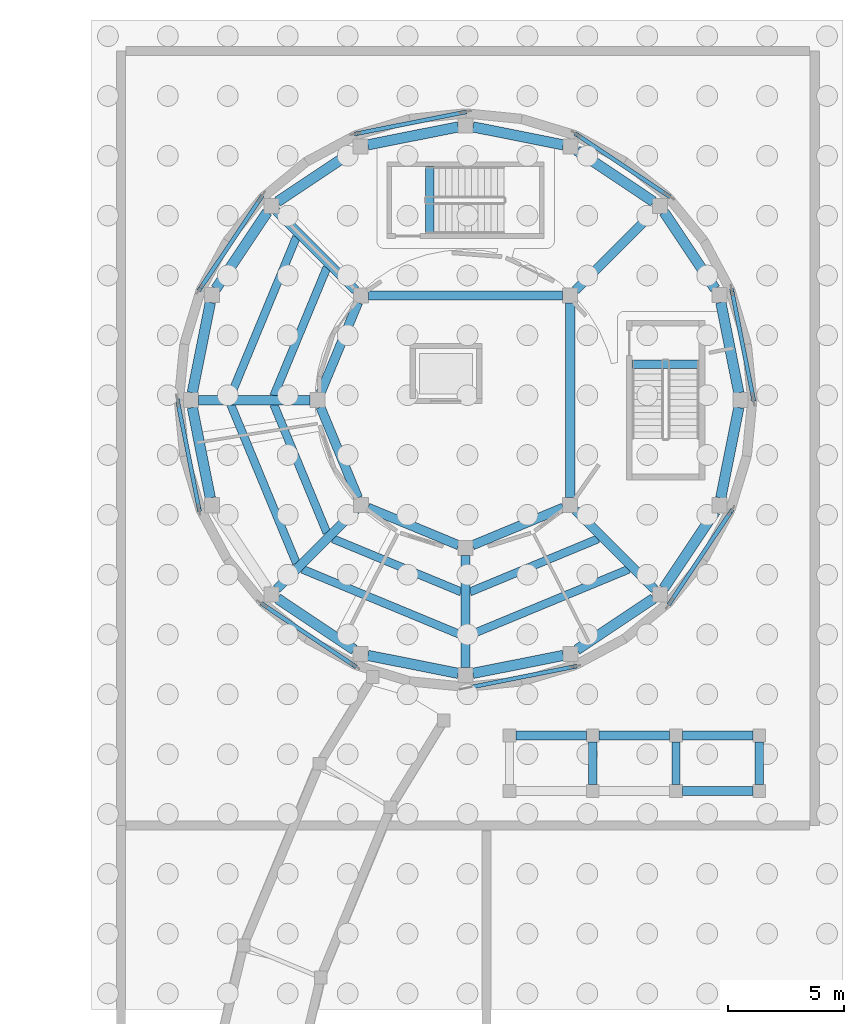
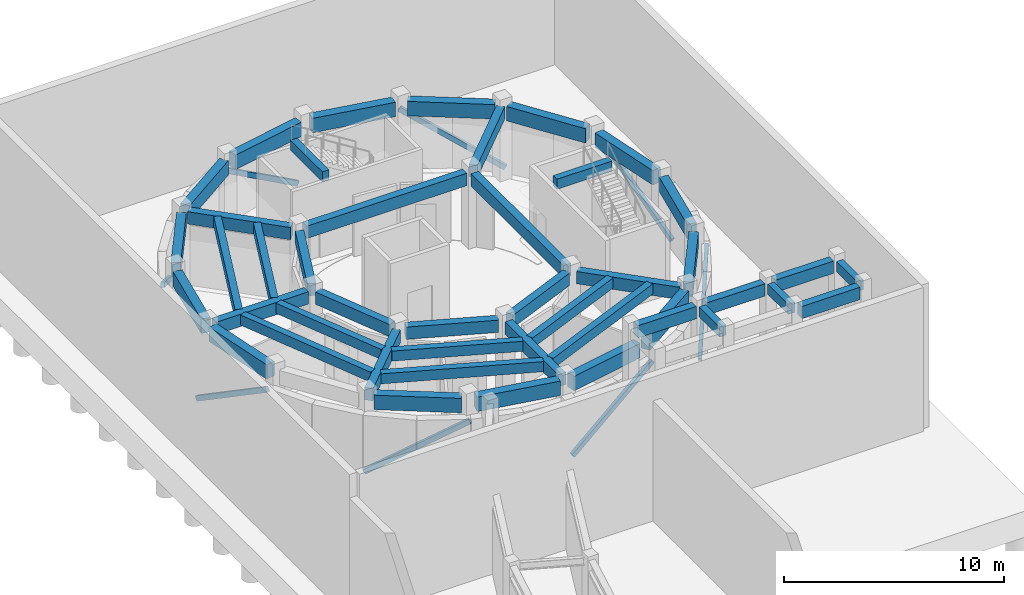
# One storey, part 21 of 57: 44 beams, 8 members.
"""IFC4 building model written with IfcOpenShell, lengths in metres."""

from ifc_helpers import new_model, si_unit, direction, frame, origin, origin_2d, place, context, subcontext, project, spatial, rectangle, extrude, material, material_profile, profile_set, type_object, element, save


model = new_model("IFC4")

# Units and contexts
model_context = context("Model", 3, precision=1e-05, world=origin(), true_north=direction((0.0, 1.0)))
body_context = subcontext(model_context, "Body", "Model", "MODEL_VIEW")
ifc_project = project(units=[si_unit("LENGTHUNIT", "METRE"), si_unit("AREAUNIT", "SQUARE_METRE"), si_unit("VOLUMEUNIT", "CUBIC_METRE"), si_unit("PLANEANGLEUNIT", "RADIAN"), si_unit("MASSUNIT", "GRAM", prefix="KILO")], contexts=[model_context])

# Site, building, storey
site_placement = place(None, origin())
site = spatial("IfcSite", under=ifc_project, at=site_placement, CompositionType="ELEMENT")
building_placement = place(site_placement, origin())
building = spatial("IfcBuilding", under=site, at=building_placement, Name="Aldenvaro Health Centre", CompositionType="ELEMENT")
storey_placement = place(building_placement, frame((0.0, 0.0, -4.550048828125)))
storey = spatial("IfcBuildingStorey", under=building, at=storey_placement, Name="B1", CompositionType="ELEMENT", Elevation=-4.550048828125)

# Beams
ifc_material_1 = material(Name="Concrete f'c 40 MPa", Category="concrete")
ifc_material_profile_1 = material_profile(ifc_material_1, rectangle(XDim=0.35009765625, YDim=0.56005859375, at=origin_2d()), Name="RC 350x560", Category="concrete")
ifc_profile_set_1 = profile_set([ifc_material_profile_1], Name="Concrete f'c 40 MPa")
beam_type_1 = type_object("IfcBeamType", Name="BM-RC-560", PredefinedType="JOIST", material=ifc_profile_set_1)
beam_1_placement = place(storey_placement, frame((148.5029296875, 105.235107421875, 3.8681640625), z_axis=(-0.382672438937, -0.923884086062, 0.0), x_axis=(0.923884086062, -0.382672438937, 0.0)))
element("IfcBeam", 1, at=beam_1_placement, inside=storey, type_object=beam_type_1, Name="D2 B1 secondary joist 02.1", PredefinedType="JOIST", context=body_context, shape_type="SweptSolid", body=[
    extrude(rectangle(XDim=0.35009765625, YDim=0.56005859375, at=origin_2d()), origin(), (0.0, 0.0, 1.0), 6.00732421875),
])
beam_2_placement = place(storey_placement, frame((147.18603515625, 106.552978515625, 3.8681640625), z_axis=(-0.382704688411, -0.923870727682, 0.0), x_axis=(0.923870727682, -0.382704688411, 0.0)))
element("IfcBeam", 2, at=beam_2_placement, inside=storey, type_object=beam_type_1, Name="D2 B1 secondary joist 02.2", PredefinedType="JOIST", context=body_context, shape_type="SweptSolid", body=[
    extrude(rectangle(XDim=0.35009765625, YDim=0.56005859375, at=origin_2d()), origin(), (0.0, 0.0, 1.0), 7.433837890625),
])
beam_3_placement = place(storey_placement, frame((146.2041015625, 99.31494140625, 3.8681640625), z_axis=(0.382672438937, -0.923884086062, 0.0), x_axis=(0.923884086062, 0.382672438937, 0.0)))
element("IfcBeam", 3, at=beam_3_placement, inside=storey, type_object=beam_type_1, Name="D2 B1 secondary joist 03.1", PredefinedType="JOIST", context=body_context, shape_type="SweptSolid", body=[
    extrude(rectangle(XDim=0.35009765625, YDim=0.56005859375, at=origin_2d()), origin(), (0.0, 0.0, 1.0), 6.00732421875),
])
beam_4_placement = place(storey_placement, frame((144.341064453125, 99.31494140625, 3.8681640625), z_axis=(0.382704688411, -0.923870727682, 0.0), x_axis=(0.923870727682, 0.382704688411, 0.0)))
element("IfcBeam", 4, at=beam_4_placement, inside=storey, type_object=beam_type_1, Name="D2 B1 secondary joist 03.2", PredefinedType="JOIST", context=body_context, shape_type="SweptSolid", body=[
    extrude(rectangle(XDim=0.35009765625, YDim=0.56005859375, at=origin_2d()), origin(), (0.0, 0.0, 1.0), 7.433837890625),
])
beam_5_placement = place(storey_placement, frame((148.764892578125, 93.5029296875, 3.8681640625), z_axis=(0.923884086062, -0.382672438937, 0.0), x_axis=(0.382672438937, 0.923884086062, 0.0)))
element("IfcBeam", 5, at=beam_5_placement, inside=storey, type_object=beam_type_1, Name="D2 B1 secondary joist 04.1", PredefinedType="JOIST", context=body_context, shape_type="SweptSolid", body=[
    extrude(rectangle(XDim=0.35009765625, YDim=0.56005859375, at=origin_2d()), origin(), (0.0, 0.0, 1.0), 6.00732421875),
])
beam_6_placement = place(storey_placement, frame((147.447021484375, 92.18603515625, 3.8681640625), z_axis=(0.923870727682, -0.382704688411, 0.0), x_axis=(0.382704688411, 0.923870727682, 0.0)))
element("IfcBeam", 6, at=beam_6_placement, inside=storey, type_object=beam_type_1, Name="D2 B1 secondary joist 04.2", PredefinedType="JOIST", context=body_context, shape_type="SweptSolid", body=[
    extrude(rectangle(XDim=0.35009765625, YDim=0.56005859375, at=origin_2d()), origin(), (0.0, 0.0, 1.0), 7.433837890625),
])
beam_7_placement = place(storey_placement, frame((154.68505859375, 91.2041015625, 3.8681640625), z_axis=(0.923884086062, 0.382672438937, 0.0), x_axis=(-0.382672438937, 0.923884086062, 0.0)))
element("IfcBeam", 7, at=beam_7_placement, inside=storey, type_object=beam_type_1, Name="D2 B1 secondary joist 05.1", PredefinedType="JOIST", context=body_context, shape_type="SweptSolid", body=[
    extrude(rectangle(XDim=0.35009765625, YDim=0.56005859375, at=origin_2d()), origin(), (0.0, 0.0, 1.0), 6.00732421875),
])
beam_8_placement = place(storey_placement, frame((154.68505859375, 89.341064453125, 3.8681640625), z_axis=(0.923870727682, 0.382704688411, 0.0), x_axis=(-0.382704688411, 0.923870727682, 0.0)))
element("IfcBeam", 8, at=beam_8_placement, inside=storey, type_object=beam_type_1, Name="D2 B1 secondary joist 05.2", PredefinedType="JOIST", context=body_context, shape_type="SweptSolid", body=[
    extrude(rectangle(XDim=0.35009765625, YDim=0.56005859375, at=origin_2d()), origin(), (0.0, 0.0, 1.0), 7.433837890625),
])
for number, where, z_axis, x_axis, name in (
    (9, (160.0, 82.875, 7.650146484375), (0.0, 1.0, 0.0), (-1.0, 0.0, 0.0), "Bastion Portico N2 Terrace Tie 2"),
    (10, (163.60009765625, 82.875, 7.650146484375), (0.0, 1.0, 0.0), (-1.0, 0.0, 0.0), "Bastion Portico N2 Terrace Tie 3"),
    (11, (167.199951171875, 82.875, 7.650146484375), (0.0, 1.0, 0.0), (-1.0, 0.0, 0.0), "Bastion Portico N2 Terrace Tie 4"),
):
    element("IfcBeam", number, at=place(storey_placement, frame(where, z_axis=z_axis, x_axis=x_axis)), inside=storey, type_object=beam_type_1, Name=name, PredefinedType="JOIST", context=body_context, shape_type="SweptSolid", body=[
        extrude(rectangle(XDim=0.35009765625, YDim=0.56005859375, at=origin_2d()), origin(), (0.0, 0.0, 1.0), 1.85009765625),
    ])
for number, where, z_axis, x_axis, name in (
    (12, (161.699951171875, 101.050048828125, 4.27001953125), (1.0, 0.0, 0.0), (0.0, 1.0, 0.0), "ST-03 L00 stair landing trimmer beam"),
    (13, (152.949951171875, 106.699951171875, 4.27001953125), (0.0, 1.0, 0.0), (-1.0, 0.0, 0.0), "ST-04 L00 stair landing trimmer beam"),
):
    element("IfcBeam", number, at=place(storey_placement, frame(where, z_axis=z_axis, x_axis=x_axis)), inside=storey, type_object=beam_type_1, Name=name, PredefinedType="JOIST", context=body_context, shape_type="SweptSolid", body=[
        extrude(rectangle(XDim=0.35009765625, YDim=0.56005859375, at=origin_2d()), origin(), (0.0, 0.0, 1.0), 2.900146484375),
    ])
ifc_material_profile_2 = material_profile(ifc_material_1, rectangle(XDim=0.39990234375, YDim=0.679931640625, at=origin_2d()), Name="RC 400x680", Category="concrete")
ifc_profile_set_2 = profile_set([ifc_material_profile_2], Name="Concrete f'c 40 MPa")
beam_type_2 = type_object("IfcBeamType", Name="BM-RC-680", PredefinedType="BEAM", material=ifc_profile_set_2)
beam_9_placement = place(storey_placement, frame((158.699951171875, 104.02490234375, 3.80810546875), z_axis=(-1.0, 0.0, 0.0), x_axis=(0.0, -1.0, 0.0)))
element("IfcBeam", 14, at=beam_9_placement, inside=storey, type_object=beam_type_2, Name="D2 B1 inner ring beam 01", PredefinedType="BEAM", context=body_context, shape_type="SweptSolid", body=[
    extrude(rectangle(XDim=0.39990234375, YDim=0.679931640625, at=origin_2d()), origin(), (0.0, 0.0, 1.0), 8.39990234375),
])
for number, where, z_axis, x_axis, name in (
    (15, (149.85107421875, 103.72509765625, 3.80810546875), (-0.382913371618, -0.923784255027, 0.0), (0.923784255027, -0.382913371618, 0.0), "D2 B1 inner ring beam 02"),
    (16, (148.22412109375, 99.199951171875, 3.80810546875), (0.382913371618, -0.923784255027, 0.0), (0.923784255027, 0.382913371618, 0.0), "D2 B1 inner ring beam 03"),
    (17, (150.27490234375, 94.85107421875, 3.80810546875), (0.923784255027, -0.382913371618, 0.0), (0.382913371618, 0.923784255027, 0.0), "D2 B1 inner ring beam 04"),
    (18, (154.800048828125, 93.22412109375, 3.80810546875), (0.923784255027, 0.382913371618, 0.0), (-0.382913371618, 0.923784255027, 0.0), "D2 B1 inner ring beam 05"),
):
    element("IfcBeam", number, at=place(storey_placement, frame(where, z_axis=z_axis, x_axis=x_axis)), inside=storey, type_object=beam_type_2, Name=name, PredefinedType="BEAM", context=body_context, shape_type="SweptSolid", body=[
        extrude(rectangle(XDim=0.39990234375, YDim=0.679931640625, at=origin_2d()), origin(), (0.0, 0.0, 1.0), 4.248779296875),
    ])
beam_10_placement = place(storey_placement, frame((159.02490234375, 95.300048828125, 3.80810546875), z_axis=(0.0, 1.0, 0.0), x_axis=(-1.0, 0.0, 0.0)))
element("IfcBeam", 19, at=beam_10_placement, inside=storey, type_object=beam_type_2, Name="D2 B1 inner ring beam 06", PredefinedType="BEAM", context=body_context, shape_type="SweptSolid", body=[
    extrude(rectangle(XDim=0.39990234375, YDim=0.679931640625, at=origin_2d()), origin(), (0.0, 0.0, 1.0), 8.39990234375),
])
for number, where, z_axis, x_axis, name in (
    (20, (159.2548828125, 104.2548828125, 3.80810546875), (0.707106781187, 0.707106781187, 0.0), (-0.707106781187, 0.707106781187, 0.0), "D2 B1 radial beam 01"),
    (21, (149.7451171875, 104.2548828125, 3.80810546875), (-0.707106781187, 0.707106781187, 0.0), (-0.707106781187, -0.707106781187, 0.0), "D2 B1 radial beam 02"),
):
    element("IfcBeam", number, at=place(storey_placement, frame(where, z_axis=z_axis, x_axis=x_axis)), inside=storey, type_object=beam_type_2, Name=name, PredefinedType="BEAM", context=body_context, shape_type="SweptSolid", body=[
        extrude(rectangle(XDim=0.39990234375, YDim=0.679931640625, at=origin_2d()), origin(), (0.0, 0.0, 1.0), 4.82958984375),
    ])
beam_11_placement = place(storey_placement, frame((147.77490234375, 99.5, 3.80810546875), z_axis=(-1.0, 0.0, 0.0), x_axis=(0.0, -1.0, 0.0)))
element("IfcBeam", 22, at=beam_11_placement, inside=storey, type_object=beam_type_2, Name="D2 B1 radial beam 03", PredefinedType="BEAM", context=body_context, shape_type="SweptSolid", body=[
    extrude(rectangle(XDim=0.39990234375, YDim=0.679931640625, at=origin_2d()), origin(), (0.0, 0.0, 1.0), 4.829833984375),
])
beam_12_placement = place(storey_placement, frame((149.7451171875, 94.7451171875, 3.80810546875), z_axis=(-0.707106781187, -0.707106781187, 0.0), x_axis=(0.707106781187, -0.707106781187, 0.0)))
element("IfcBeam", 23, at=beam_12_placement, inside=storey, type_object=beam_type_2, Name="D2 B1 radial beam 04", PredefinedType="BEAM", context=body_context, shape_type="SweptSolid", body=[
    extrude(rectangle(XDim=0.39990234375, YDim=0.679931640625, at=origin_2d()), origin(), (0.0, 0.0, 1.0), 4.82958984375),
])
beam_13_placement = place(storey_placement, frame((154.5, 92.77490234375, 3.80810546875), z_axis=(0.0, -1.0, 0.0), x_axis=(1.0, 0.0, 0.0)))
element("IfcBeam", 24, at=beam_13_placement, inside=storey, type_object=beam_type_2, Name="D2 B1 radial beam 05", PredefinedType="BEAM", context=body_context, shape_type="SweptSolid", body=[
    extrude(rectangle(XDim=0.39990234375, YDim=0.679931640625, at=origin_2d()), origin(), (0.0, 0.0, 1.0), 4.829833984375),
])
beam_14_placement = place(storey_placement, frame((159.2548828125, 94.7451171875, 3.80810546875), z_axis=(0.707106781187, -0.707106781187, 0.0), x_axis=(0.707106781187, 0.707106781187, 0.0)))
element("IfcBeam", 25, at=beam_14_placement, inside=storey, type_object=beam_type_2, Name="D2 B1 radial beam 06", PredefinedType="BEAM", context=body_context, shape_type="SweptSolid", body=[
    extrude(rectangle(XDim=0.39990234375, YDim=0.679931640625, at=origin_2d()), origin(), (0.0, 0.0, 1.0), 4.82958984375),
])
for number, where, z_axis, x_axis, name in (
    (26, (156.675048828125, 85.0, 7.60009765625), (1.0, 0.0, 0.0), (0.0, 1.0, 0.0), "Bastion Portico N2 Terrace Beam 1.2"),
    (27, (160.27490234375, 85.0, 7.60009765625), (1.0, 0.0, 0.0), (0.0, 1.0, 0.0), "Bastion Portico N2 Terrace Beam 2.2"),
    (28, (163.875, 82.60009765625, 7.60009765625), (1.0, 0.0, 0.0), (0.0, 1.0, 0.0), "Bastion Portico N2 Terrace Beam 3.1"),
    (29, (163.875, 85.0, 7.60009765625), (1.0, 0.0, 0.0), (0.0, 1.0, 0.0), "Bastion Portico N2 Terrace Beam 3.2"),
):
    element("IfcBeam", number, at=place(storey_placement, frame(where, z_axis=z_axis, x_axis=x_axis)), inside=storey, type_object=beam_type_2, Name=name, PredefinedType="BEAM", context=body_context, shape_type="SweptSolid", body=[
        extrude(rectangle(XDim=0.39990234375, YDim=0.679931640625, at=origin_2d()), origin(), (0.0, 0.0, 1.0), 3.050048828125),
    ])
ifc_material_profile_3 = material_profile(ifc_material_1, rectangle(XDim=0.449951171875, YDim=0.800048828125, at=origin_2d()), Name="RC 450x800", Category="concrete")
ifc_profile_set_3 = profile_set([ifc_material_profile_3], Name="Concrete f'c 40 MPa")
beam_type_3 = type_object("IfcBeamType", Name="BM-RC-800I", PredefinedType="SPANDREL", material=ifc_profile_set_3)
beam_15_placement = place(storey_placement, frame((166.31689453125, 99.819091796875, 3.748046875), z_axis=(-0.195208772024, 0.980761711796, 0.0), x_axis=(-0.980761711796, -0.195208772024, 0.0)))
element("IfcBeam", 30, at=beam_15_placement, inside=storey, type_object=beam_type_3, Name="D2 B1 perimeter spandrel 01", PredefinedType="SPANDREL", context=body_context, shape_type="SweptSolid", body=[
    extrude(rectangle(XDim=0.449951171875, YDim=0.800048828125, at=origin_2d()), origin(), (0.0, 0.0, 1.0), 3.984619140625),
])
for number, where, z_axis, x_axis, name in (
    (31, (165.294921875, 104.31591796875, 3.748046875), (-0.555491592772, 0.831522152657, 0.0), (-0.831522152657, -0.555491592772, 0.0), "D2 B1 perimeter spandrel 02"),
    (32, (162.6298828125, 108.0810546875, 3.748046875), (-0.831522152657, 0.555491592772, 0.0), (-0.555491592772, -0.831522152657, 0.0), "D2 B1 perimeter spandrel 03"),
):
    element("IfcBeam", number, at=place(storey_placement, frame(where, z_axis=z_axis, x_axis=x_axis)), inside=storey, type_object=beam_type_3, Name=name, PredefinedType="SPANDREL", context=body_context, shape_type="SweptSolid", body=[
        extrude(rectangle(XDim=0.449951171875, YDim=0.800048828125, at=origin_2d()), origin(), (0.0, 0.0, 1.0), 3.9853515625),
    ])
for number, where, z_axis, x_axis, name in (
    (33, (158.72705078125, 110.5390625, 3.748046875), (-0.980761711796, 0.195208772024, 0.0), (-0.195208772024, -0.980761711796, 0.0), "D2 B1 perimeter spandrel 04"),
    (34, (154.180908203125, 111.31689453125, 3.748046875), (-0.980761711796, -0.195208772024, 0.0), (0.195208772024, -0.980761711796, 0.0), "D2 B1 perimeter spandrel 05"),
):
    element("IfcBeam", number, at=place(storey_placement, frame(where, z_axis=z_axis, x_axis=x_axis)), inside=storey, type_object=beam_type_3, Name=name, PredefinedType="SPANDREL", context=body_context, shape_type="SweptSolid", body=[
        extrude(rectangle(XDim=0.449951171875, YDim=0.800048828125, at=origin_2d()), origin(), (0.0, 0.0, 1.0), 3.984619140625),
    ])
for number, where, z_axis, x_axis, name in (
    (35, (149.68408203125, 110.294921875, 3.748046875), (-0.831522152657, -0.555491592772, 0.0), (0.555491592772, -0.831522152657, 0.0), "D2 B1 perimeter spandrel 06"),
    (36, (145.9189453125, 107.6298828125, 3.748046875), (-0.555491592772, -0.831522152657, 0.0), (0.831522152657, -0.555491592772, 0.0), "D2 B1 perimeter spandrel 07"),
):
    element("IfcBeam", number, at=place(storey_placement, frame(where, z_axis=z_axis, x_axis=x_axis)), inside=storey, type_object=beam_type_3, Name=name, PredefinedType="SPANDREL", context=body_context, shape_type="SweptSolid", body=[
        extrude(rectangle(XDim=0.449951171875, YDim=0.800048828125, at=origin_2d()), origin(), (0.0, 0.0, 1.0), 3.9853515625),
    ])
for number, where, z_axis, x_axis, name in (
    (37, (143.4609375, 103.72705078125, 3.748046875), (-0.195208772024, -0.980761711796, 0.0), (0.980761711796, -0.195208772024, 0.0), "D2 B1 perimeter spandrel 08"),
    (38, (142.68310546875, 99.180908203125, 3.748046875), (0.195208772024, -0.980761711796, 0.0), (0.980761711796, 0.195208772024, 0.0), "D2 B1 perimeter spandrel 09"),
):
    element("IfcBeam", number, at=place(storey_placement, frame(where, z_axis=z_axis, x_axis=x_axis)), inside=storey, type_object=beam_type_3, Name=name, PredefinedType="SPANDREL", context=body_context, shape_type="SweptSolid", body=[
        extrude(rectangle(XDim=0.449951171875, YDim=0.800048828125, at=origin_2d()), origin(), (0.0, 0.0, 1.0), 3.984619140625),
    ])
beam_16_placement = place(storey_placement, frame((146.3701171875, 90.9189453125, 3.748046875), z_axis=(0.831522152657, -0.555491592772, 0.0), x_axis=(0.555491592772, 0.831522152657, 0.0)))
element("IfcBeam", 39, at=beam_16_placement, inside=storey, type_object=beam_type_3, Name="D2 B1 perimeter spandrel 11", PredefinedType="SPANDREL", context=body_context, shape_type="SweptSolid", body=[
    extrude(rectangle(XDim=0.449951171875, YDim=0.800048828125, at=origin_2d()), origin(), (0.0, 0.0, 1.0), 3.9853515625),
])
for number, where, z_axis, x_axis, name in (
    (40, (150.27294921875, 88.4609375, 3.748046875), (0.980761711796, -0.195208772024, 0.0), (0.195208772024, 0.980761711796, 0.0), "D2 B1 perimeter spandrel 12"),
    (41, (154.819091796875, 87.68310546875, 3.748046875), (0.980761711796, 0.195208772024, 0.0), (-0.195208772024, 0.980761711796, 0.0), "D2 B1 perimeter spandrel 13"),
):
    element("IfcBeam", number, at=place(storey_placement, frame(where, z_axis=z_axis, x_axis=x_axis)), inside=storey, type_object=beam_type_3, Name=name, PredefinedType="SPANDREL", context=body_context, shape_type="SweptSolid", body=[
        extrude(rectangle(XDim=0.449951171875, YDim=0.800048828125, at=origin_2d()), origin(), (0.0, 0.0, 1.0), 3.984619140625),
    ])
for number, where, z_axis, x_axis, name in (
    (42, (159.31591796875, 88.705078125, 3.748046875), (0.831522152657, 0.555491592772, 0.0), (-0.555491592772, 0.831522152657, 0.0), "D2 B1 perimeter spandrel 14"),
    (43, (163.0810546875, 91.3701171875, 3.748046875), (0.555491592772, 0.831522152657, 0.0), (-0.831522152657, 0.555491592772, 0.0), "D2 B1 perimeter spandrel 15"),
):
    element("IfcBeam", number, at=place(storey_placement, frame(where, z_axis=z_axis, x_axis=x_axis)), inside=storey, type_object=beam_type_3, Name=name, PredefinedType="SPANDREL", context=body_context, shape_type="SweptSolid", body=[
        extrude(rectangle(XDim=0.449951171875, YDim=0.800048828125, at=origin_2d()), origin(), (0.0, 0.0, 1.0), 3.9853515625),
    ])
beam_17_placement = place(storey_placement, frame((165.5390625, 95.27294921875, 3.748046875), z_axis=(0.195208772024, 0.980761711796, 0.0), x_axis=(-0.980761711796, 0.195208772024, 0.0)))
element("IfcBeam", 44, at=beam_17_placement, inside=storey, type_object=beam_type_3, Name="D2 B1 perimeter spandrel 16", PredefinedType="SPANDREL", context=body_context, shape_type="SweptSolid", body=[
    extrude(rectangle(XDim=0.449951171875, YDim=0.800048828125, at=origin_2d()), origin(), (0.0, 0.0, 1.0), 3.984619140625),
])

# Members
ifc_material_2 = material(Name="Glulam GL28h", Category="wood")
ifc_material_profile_4 = material_profile(ifc_material_2, rectangle(XDim=0.175048828125, YDim=0.26611328125, at=origin_2d()), Name="GL 175x266", Category="wood")
ifc_profile_set_4 = profile_set([ifc_material_profile_4], Name="Glulam GL28h")
member_type = type_object("IfcMemberType", Name="MEM-BR-266", PredefinedType="BRACE", material=ifc_profile_set_4)
member_1_placement = place(storey_placement, frame((166.9560546875, 99.52001953125, 0.16015625), z_axis=(-0.165116860859, 0.830559253869, 0.531890729448), x_axis=(-0.98080598289, -0.194986214713, 0.0)))
element("IfcMember", 45, at=member_1_placement, inside=storey, type_object=member_type, Name="D2 B1 timber brace 1", PredefinedType="BRACE", context=body_context, shape_type="SweptSolid", body=[
    extrude(rectangle(XDim=0.175048828125, YDim=0.26611328125, at=origin_2d()), origin(), (0.0, 0.0, 1.0), 5.692626953125),
])
member_2_placement = place(storey_placement, frame((163.2939453125, 108.322021484375, 0.16015625), z_axis=(-0.704131569817, 0.470521631788, 0.531797072582), x_axis=(-0.555599587349, -0.831449997617, 0.0)))
element("IfcMember", 46, at=member_2_placement, inside=storey, type_object=member_type, Name="D2 B1 timber brace 3", PredefinedType="BRACE", context=body_context, shape_type="SweptSolid", body=[
    extrude(rectangle(XDim=0.175048828125, YDim=0.26611328125, at=origin_2d()), origin(), (0.0, 0.0, 1.0), 5.693603515625),
])
member_3_placement = place(storey_placement, frame((154.47998046875, 111.9560546875, 0.16015625), z_axis=(-0.830559253869, -0.165116860859, 0.531890729448), x_axis=(0.194986214713, -0.98080598289, 0.0)))
element("IfcMember", 47, at=member_3_placement, inside=storey, type_object=member_type, Name="D2 B1 timber brace 5", PredefinedType="BRACE", context=body_context, shape_type="SweptSolid", body=[
    extrude(rectangle(XDim=0.175048828125, YDim=0.26611328125, at=origin_2d()), origin(), (0.0, 0.0, 1.0), 5.692626953125),
])
member_4_placement = place(storey_placement, frame((145.677978515625, 108.2939453125, 0.16015625), z_axis=(-0.470521631788, -0.704131569817, 0.531797072582), x_axis=(0.831449997617, -0.555599587349, 0.0)))
element("IfcMember", 48, at=member_4_placement, inside=storey, type_object=member_type, Name="D2 B1 timber brace 7", PredefinedType="BRACE", context=body_context, shape_type="SweptSolid", body=[
    extrude(rectangle(XDim=0.175048828125, YDim=0.26611328125, at=origin_2d()), origin(), (0.0, 0.0, 1.0), 5.693603515625),
])
member_5_placement = place(storey_placement, frame((142.0439453125, 99.47998046875, 0.16015625), z_axis=(0.165116860859, -0.830559253869, 0.531890729448), x_axis=(0.98080598289, 0.194986214713, 0.0)))
element("IfcMember", 49, at=member_5_placement, inside=storey, type_object=member_type, Name="D2 B1 timber brace 9", PredefinedType="BRACE", context=body_context, shape_type="SweptSolid", body=[
    extrude(rectangle(XDim=0.175048828125, YDim=0.26611328125, at=origin_2d()), origin(), (0.0, 0.0, 1.0), 5.692626953125),
])
member_6_placement = place(storey_placement, frame((145.7060546875, 90.677978515625, 0.16015625), z_axis=(0.704131569817, -0.470521631788, 0.531797072582), x_axis=(0.555599587349, 0.831449997617, 0.0)))
element("IfcMember", 50, at=member_6_placement, inside=storey, type_object=member_type, Name="D2 B1 timber brace 11", PredefinedType="BRACE", context=body_context, shape_type="SweptSolid", body=[
    extrude(rectangle(XDim=0.175048828125, YDim=0.26611328125, at=origin_2d()), origin(), (0.0, 0.0, 1.0), 5.693603515625),
])
member_7_placement = place(storey_placement, frame((154.52001953125, 87.0439453125, 0.16015625), z_axis=(0.830559253869, 0.165116860859, 0.531890729448), x_axis=(-0.194986214713, 0.98080598289, 0.0)))
element("IfcMember", 51, at=member_7_placement, inside=storey, type_object=member_type, Name="D2 B1 timber brace 13", PredefinedType="BRACE", context=body_context, shape_type="SweptSolid", body=[
    extrude(rectangle(XDim=0.175048828125, YDim=0.26611328125, at=origin_2d()), origin(), (0.0, 0.0, 1.0), 5.692626953125),
])
member_8_placement = place(storey_placement, frame((163.322021484375, 90.7060546875, 0.16015625), z_axis=(0.470521631788, 0.704131569817, 0.531797072582), x_axis=(-0.831449997617, 0.555599587349, 0.0)))
element("IfcMember", 52, at=member_8_placement, inside=storey, type_object=member_type, Name="D2 B1 timber brace 15", PredefinedType="BRACE", context=body_context, shape_type="SweptSolid", body=[
    extrude(rectangle(XDim=0.175048828125, YDim=0.26611328125, at=origin_2d()), origin(), (0.0, 0.0, 1.0), 5.693603515625),
])

save(model, "model.ifc")
